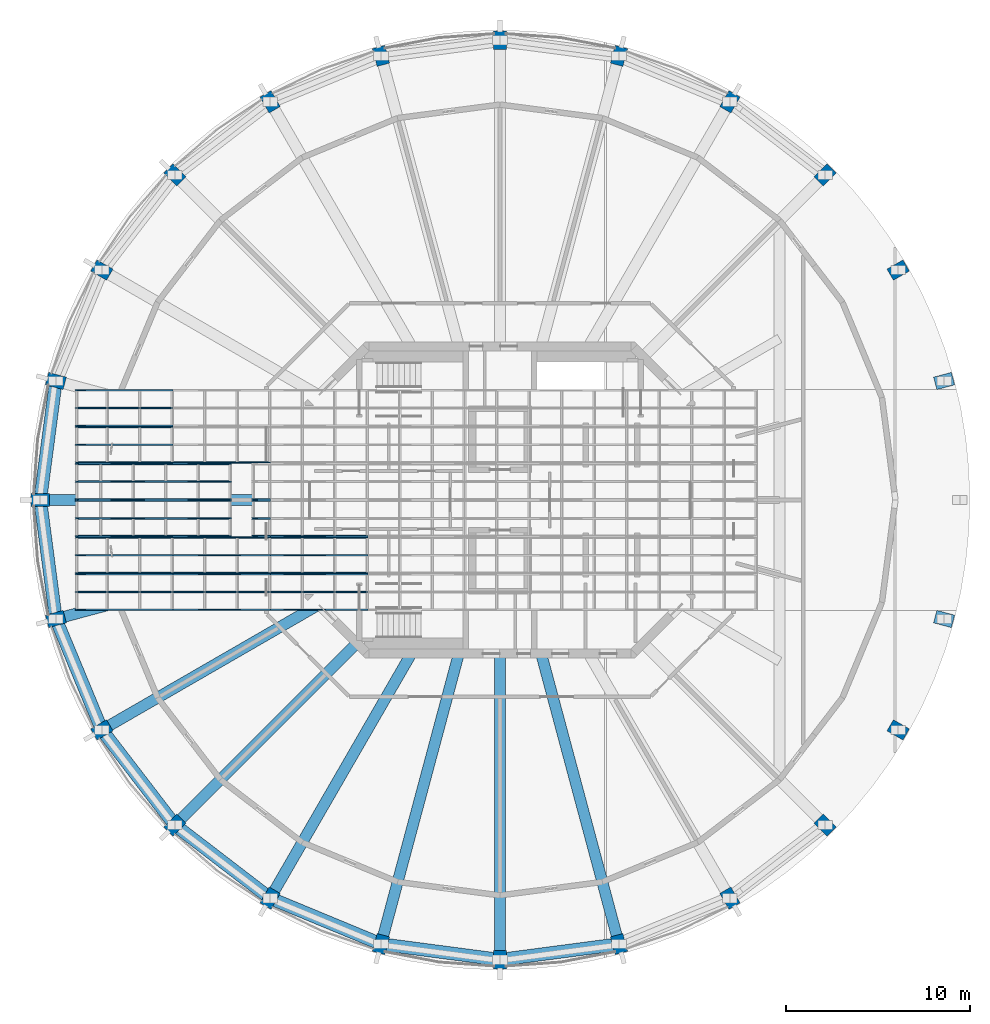
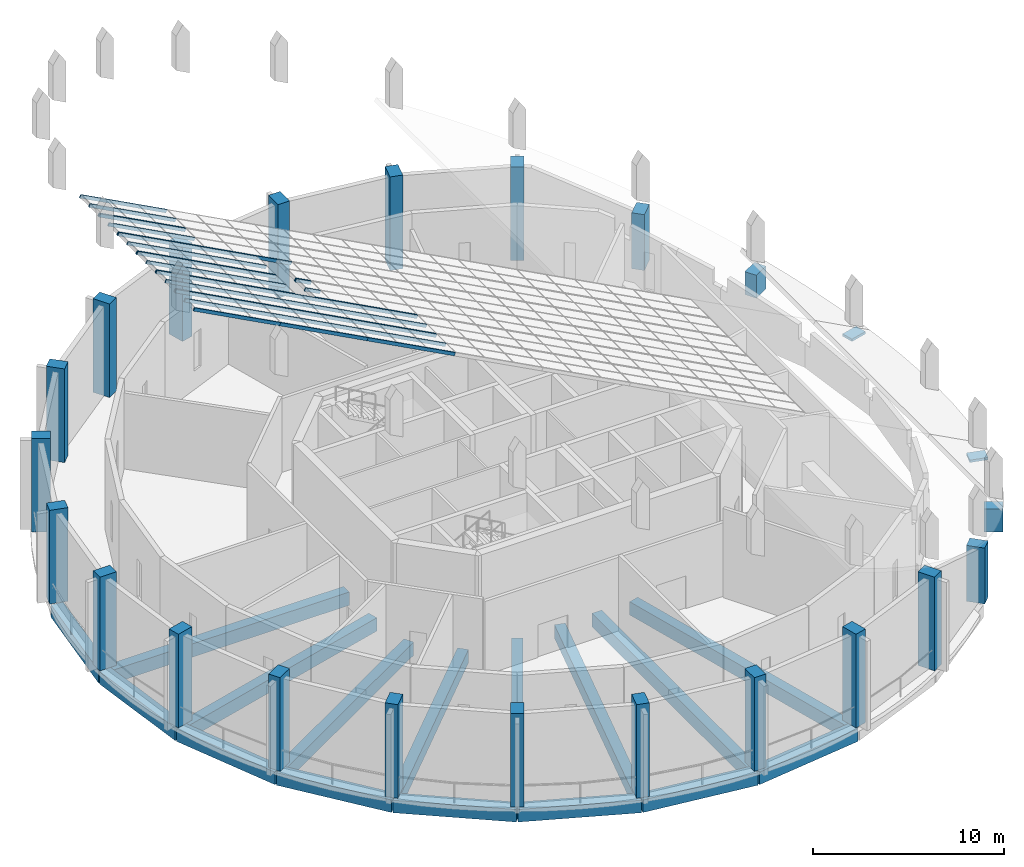
# One storey, part 1 of 19: 42 members, 23 columns, 16 beams, 8 elements without a shape of their own.
"""IFC4 building model written with IfcOpenShell, lengths in metres."""

from ifc_helpers import new_model, si_unit, direction, frame, origin, origin_2d, place, context, subcontext, project, spatial, rectangle, extrude, material, material_profile, profile_set, type_object, element, aggregate, save


model = new_model("IFC4")

# Units and contexts
model_context = context("Model", 3, precision=1e-05, world=origin(), true_north=direction((0.0, 1.0)))
body_context = subcontext(model_context, "Body", "Model", "MODEL_VIEW")
ifc_project = project(units=[si_unit("LENGTHUNIT", "METRE"), si_unit("AREAUNIT", "SQUARE_METRE"), si_unit("VOLUMEUNIT", "CUBIC_METRE"), si_unit("PLANEANGLEUNIT", "RADIAN"), si_unit("MASSUNIT", "GRAM", prefix="KILO")], contexts=[model_context])

# Site, building, storey
site_placement = place(None, origin())
site = spatial("IfcSite", under=ifc_project, at=site_placement, CompositionType="ELEMENT")
building_placement = place(site_placement, origin())
building = spatial("IfcBuilding", under=site, at=building_placement, Name="Torre Triforio", CompositionType="ELEMENT")
storey_placement = place(building_placement, frame((0.0, 0.0, 290.800048828125)))
storey = spatial("IfcBuildingStorey", under=building, at=storey_placement, Name="RF-1", CompositionType="ELEMENT", Elevation=290.800048828125)

# Columns
ifc_material_1 = material(Name="Concrete C40", Category="concrete")
ifc_material_profile_1 = material_profile(ifc_material_1, rectangle(XDim=0.699951171875, YDim=1.0, at=origin_2d()), Name="RC 700x1000")
ifc_profile_set_1 = profile_set([ifc_material_profile_1], Name="Concrete C40")
column_type = type_object("IfcColumnType", Name="Pier RC 700x1000 C40", PredefinedType="COLUMN", material=ifc_profile_set_1)
column_1_placement = place(storey_placement, frame((24.148193359375, 6.470458984375, 0.0), z_axis=(0.0, 0.0, 1.0), x_axis=(-0.258819045103, 0.965925826289, 0.0)))
element("IfcColumn", 1, at=column_1_placement, inside=storey, type_object=column_type, Name="COL.R.RF-1.01", PredefinedType="COLUMN", context=body_context, shape_type="SweptSolid", body=[
    extrude(rectangle(XDim=0.699951171875, YDim=1.0, at=origin_2d()), origin(), (0.0, 0.0, 1.0), 0.1552734375),
])
column_2_placement = place(storey_placement, frame((21.650634765625, 12.5, 0.0), z_axis=(0.0, 0.0, 1.0), x_axis=(-0.5, 0.866025403784, 0.0)))
element("IfcColumn", 2, at=column_2_placement, inside=storey, type_object=column_type, Name="COL.R.RF-1.02", PredefinedType="COLUMN", context=body_context, shape_type="SweptSolid", body=[
    extrude(rectangle(XDim=0.699951171875, YDim=1.0, at=origin_2d()), origin(), (0.0, 0.0, 1.0), 1.46484375),
])
column_3_placement = place(storey_placement, frame((17.677734375, 17.677734375, 0.0), z_axis=(0.0, 0.0, 1.0), x_axis=(-0.707106781187, 0.707106781187, 0.0)))
element("IfcColumn", 3, at=column_3_placement, inside=storey, type_object=column_type, Name="COL.R.RF-1.03", PredefinedType="COLUMN", context=body_context, shape_type="SweptSolid", body=[
    extrude(rectangle(XDim=0.699951171875, YDim=1.0, at=origin_2d()), origin(), (0.0, 0.0, 1.0), 3.5810546875),
])
for number, where, z_axis, x_axis, name in (
    (4, (12.5, 21.650634765625, 0.0), (0.0, 0.0, 1.0), (-0.866025403784, 0.5, 0.0), "COL.R.RF-1.04"),
    (5, (6.470458984375, 24.148193359375, 0.0), (0.0, 0.0, 1.0), (-0.965925826289, 0.258819045103, 0.0), "COL.R.RF-1.05"),
    (6, (0.0, 25.0, 0.0), (0.0, 0.0, 1.0), (-1.0, 0.0, 0.0), "COL.R.RF-1.06"),
    (7, (-6.470458984375, 24.148193359375, 0.0), (0.0, 0.0, 1.0), (-0.965925826289, -0.258819045103, 0.0), "COL.R.RF-1.07"),
    (8, (-12.5, 21.650634765625, 0.0), (0.0, 0.0, 1.0), (-0.866025403784, -0.5, 0.0), "COL.R.RF-1.08"),
    (9, (-17.677734375, 17.677734375, 0.0), (0.0, 0.0, 1.0), (-0.707106781187, -0.707106781187, 0.0), "COL.R.RF-1.09"),
    (10, (-21.650634765625, 12.5, 0.0), (0.0, 0.0, 1.0), (-0.5, -0.866025403784, 0.0), "COL.R.RF-1.10"),
    (11, (-24.148193359375, 6.470458984375, 0.0), (0.0, 0.0, 1.0), (-0.258819045103, -0.965925826289, 0.0), "COL.R.RF-1.11"),
    (12, (-25.0, 0.0, 0.0), (0.0, 0.0, 1.0), (0.0, -1.0, 0.0), "COL.R.RF-1.12"),
    (13, (-24.148193359375, -6.470458984375, 0.0), (0.0, 0.0, 1.0), (0.258819045103, -0.965925826289, 0.0), "COL.R.RF-1.13"),
    (14, (-21.650634765625, -12.5, 0.0), (0.0, 0.0, 1.0), (0.5, -0.866025403784, 0.0), "COL.R.RF-1.14"),
    (15, (-17.677734375, -17.677734375, 0.0), (0.0, 0.0, 1.0), (0.707106781187, -0.707106781187, 0.0), "COL.R.RF-1.15"),
    (16, (-12.5, -21.650634765625, 0.0), (0.0, 0.0, 1.0), (0.866025403784, -0.5, 0.0), "COL.R.RF-1.16"),
    (17, (-6.470458984375, -24.148193359375, 0.0), (0.0, 0.0, 1.0), (0.965925826289, -0.258819045103, 0.0), "COL.R.RF-1.17"),
    (18, (0.0, -25.0, 0.0), (0.0, 0.0, 1.0), (1.0, 0.0, 0.0), "COL.R.RF-1.18"),
    (19, (6.470458984375, -24.148193359375, 0.0), (0.0, 0.0, 1.0), (0.965925826289, 0.258819045103, 0.0), "COL.R.RF-1.19"),
    (20, (12.5, -21.650634765625, 0.0), (0.0, 0.0, 1.0), (0.866025403784, 0.5, 0.0), "COL.R.RF-1.20"),
):
    element("IfcColumn", number, at=place(storey_placement, frame(where, z_axis=z_axis, x_axis=x_axis)), inside=storey, type_object=column_type, Name=name, PredefinedType="COLUMN", context=body_context, shape_type="SweptSolid", body=[
        extrude(rectangle(XDim=0.699951171875, YDim=1.0, at=origin_2d()), origin(), (0.0, 0.0, 1.0), 6.0),
    ])
column_4_placement = place(storey_placement, frame((17.677734375, -17.677734375, 0.0), z_axis=(0.0, 0.0, 1.0), x_axis=(0.707106781187, 0.707106781187, 0.0)))
element("IfcColumn", 21, at=column_4_placement, inside=storey, type_object=column_type, Name="COL.R.RF-1.21", PredefinedType="COLUMN", context=body_context, shape_type="SweptSolid", body=[
    extrude(rectangle(XDim=0.699951171875, YDim=1.0, at=origin_2d()), origin(), (0.0, 0.0, 1.0), 3.5810546875),
])
column_5_placement = place(storey_placement, frame((21.650634765625, -12.5, 0.0), z_axis=(0.0, 0.0, 1.0), x_axis=(0.5, 0.866025403784, 0.0)))
element("IfcColumn", 22, at=column_5_placement, inside=storey, type_object=column_type, Name="COL.R.RF-1.22", PredefinedType="COLUMN", context=body_context, shape_type="SweptSolid", body=[
    extrude(rectangle(XDim=0.699951171875, YDim=1.0, at=origin_2d()), origin(), (0.0, 0.0, 1.0), 1.46484375),
])
column_6_placement = place(storey_placement, frame((24.148193359375, -6.470458984375, 0.0), z_axis=(0.0, 0.0, 1.0), x_axis=(0.258819045103, 0.965925826289, 0.0)))
element("IfcColumn", 23, at=column_6_placement, inside=storey, type_object=column_type, Name="COL.R.RF-1.23", PredefinedType="COLUMN", context=body_context, shape_type="SweptSolid", body=[
    extrude(rectangle(XDim=0.699951171875, YDim=1.0, at=origin_2d()), origin(), (0.0, 0.0, 1.0), 0.1552734375),
])

# Curtain wall, members
ifc_material_2 = material(Name="Aluminium glazing bars with clear laminated glass", Category="aluminium")
curtain_wall_type = type_object("IfcCurtainWallType", Name="Crown lantern glazing CW4", PredefinedType="NOTDEFINED", material=ifc_material_2)
curtain_wall_1_placement = place(storey_placement, origin())
curtain_wall_1 = element("IfcCurtainWall", 24, at=curtain_wall_1_placement, inside=storey, type_object=curtain_wall_type, Name="Crown lantern run 1", PredefinedType="NOTDEFINED")
ifc_material_3 = material(Name="Anodised aluminium extrusion", Category="aluminium")
ifc_material_profile_2 = material_profile(ifc_material_3, rectangle(XDim=0.070068359375, YDim=0.199951171875, at=origin_2d()), Name="CW4 MULLION 70x200")
ifc_profile_set_2 = profile_set([ifc_material_profile_2], Name="Anodised aluminium extrusion")
member_type = type_object("IfcMemberType", Name="CW4 glazing bar 70 x 200", PredefinedType="MULLION", material=ifc_profile_set_2)
member_1_placement = place(storey_placement, frame((-7.23779296875, -5.965087890625, 17.3203125), z_axis=(-0.882957088221, 0.0, 0.469453704171), x_axis=(0.0, -1.0, 0.0)))
member_1 = element("IfcMember", 25, at=member_1_placement, type_object=member_type, Name="CW4 glazing bar 1.1.5", PredefinedType="MULLION", context=body_context, shape_type="SweptSolid", body=[
    extrude(rectangle(XDim=0.070068359375, YDim=0.199951171875, at=origin_2d()), origin(), (0.0, 0.0, 1.0), 5.999755859375),
])
member_2_placement = place(storey_placement, frame((-12.535400390625, -5.965087890625, 20.136962890625), z_axis=(-0.882940221191, 0.0, 0.469485426614), x_axis=(0.0, -1.0, 0.0)))
member_2 = element("IfcMember", 26, at=member_2_placement, type_object=member_type, Name="CW4 glazing bar 1.1.6", PredefinedType="MULLION", context=body_context, shape_type="SweptSolid", body=[
    extrude(rectangle(XDim=0.070068359375, YDim=0.199951171875, at=origin_2d()), origin(), (0.0, 0.0, 1.0), 6.0),
])
member_3_placement = place(storey_placement, frame((-17.8330078125, -5.965087890625, 22.953857421875), z_axis=(-0.882950791181, 0.0, 0.469465547568), x_axis=(0.0, -1.0, 0.0)))
member_3 = element("IfcMember", 27, at=member_3_placement, type_object=member_type, Name="CW4 glazing bar 1.1.7", PredefinedType="MULLION", context=body_context, shape_type="SweptSolid", body=[
    extrude(rectangle(XDim=0.070068359375, YDim=0.199951171875, at=origin_2d()), origin(), (0.0, 0.0, 1.0), 5.905029296875),
])
member_4_placement = place(storey_placement, frame((-7.23779296875, -5.0, 17.3203125), z_axis=(-0.882957088221, 0.0, 0.469453704171), x_axis=(0.0, -1.0, 0.0)))
member_4 = element("IfcMember", 28, at=member_4_placement, type_object=member_type, Name="CW4 glazing bar 1.2.5", PredefinedType="MULLION", context=body_context, shape_type="SweptSolid", body=[
    extrude(rectangle(XDim=0.070068359375, YDim=0.199951171875, at=origin_2d()), origin(), (0.0, 0.0, 1.0), 5.999755859375),
])
member_5_placement = place(storey_placement, frame((-12.535400390625, -5.0, 20.136962890625), z_axis=(-0.882940221191, 0.0, 0.469485426614), x_axis=(0.0, -1.0, 0.0)))
member_5 = element("IfcMember", 29, at=member_5_placement, type_object=member_type, Name="CW4 glazing bar 1.2.6", PredefinedType="MULLION", context=body_context, shape_type="SweptSolid", body=[
    extrude(rectangle(XDim=0.070068359375, YDim=0.199951171875, at=origin_2d()), origin(), (0.0, 0.0, 1.0), 6.0),
])
member_6_placement = place(storey_placement, frame((-17.8330078125, -5.0, 22.953857421875), z_axis=(-0.882950791181, 0.0, 0.469465547568), x_axis=(0.0, -1.0, 0.0)))
member_6 = element("IfcMember", 30, at=member_6_placement, type_object=member_type, Name="CW4 glazing bar 1.2.7", PredefinedType="MULLION", context=body_context, shape_type="SweptSolid", body=[
    extrude(rectangle(XDim=0.070068359375, YDim=0.199951171875, at=origin_2d()), origin(), (0.0, 0.0, 1.0), 5.905029296875),
])
member_7_placement = place(storey_placement, frame((-7.23779296875, -4.034912109375, 17.3203125), z_axis=(-0.882957088221, 0.0, 0.469453704171), x_axis=(0.0, -1.0, 0.0)))
member_7 = element("IfcMember", 31, at=member_7_placement, type_object=member_type, Name="CW4 glazing bar 1.3.5", PredefinedType="MULLION", context=body_context, shape_type="SweptSolid", body=[
    extrude(rectangle(XDim=0.070068359375, YDim=0.199951171875, at=origin_2d()), origin(), (0.0, 0.0, 1.0), 5.999755859375),
])
member_8_placement = place(storey_placement, frame((-12.535400390625, -4.034912109375, 20.136962890625), z_axis=(-0.882940221191, 0.0, 0.469485426614), x_axis=(0.0, -1.0, 0.0)))
member_8 = element("IfcMember", 32, at=member_8_placement, type_object=member_type, Name="CW4 glazing bar 1.3.6", PredefinedType="MULLION", context=body_context, shape_type="SweptSolid", body=[
    extrude(rectangle(XDim=0.070068359375, YDim=0.199951171875, at=origin_2d()), origin(), (0.0, 0.0, 1.0), 6.0),
])
member_9_placement = place(storey_placement, frame((-17.8330078125, -4.034912109375, 22.953857421875), z_axis=(-0.882950791181, 0.0, 0.469465547568), x_axis=(0.0, -1.0, 0.0)))
member_9 = element("IfcMember", 33, at=member_9_placement, type_object=member_type, Name="CW4 glazing bar 1.3.7", PredefinedType="MULLION", context=body_context, shape_type="SweptSolid", body=[
    extrude(rectangle(XDim=0.070068359375, YDim=0.199951171875, at=origin_2d()), origin(), (0.0, 0.0, 1.0), 5.905029296875),
])
aggregate(curtain_wall_1, [member_1, member_2, member_3, member_4, member_5, member_6, member_7, member_8, member_9])

curtain_wall_2_placement = place(storey_placement, origin())
curtain_wall_2 = element("IfcCurtainWall", 34, at=curtain_wall_2_placement, inside=storey, type_object=curtain_wall_type, Name="Crown lantern run 2", PredefinedType="NOTDEFINED")
member_10_placement = place(storey_placement, frame((-7.23779296875, -3.965087890625, 17.3203125), z_axis=(-0.882957088221, 0.0, 0.469453704171), x_axis=(0.0, -1.0, 0.0)))
member_10 = element("IfcMember", 35, at=member_10_placement, type_object=member_type, Name="CW4 glazing bar 2.1.5", PredefinedType="MULLION", context=body_context, shape_type="SweptSolid", body=[
    extrude(rectangle(XDim=0.070068359375, YDim=0.199951171875, at=origin_2d()), origin(), (0.0, 0.0, 1.0), 5.999755859375),
])
member_11_placement = place(storey_placement, frame((-12.535400390625, -3.965087890625, 20.136962890625), z_axis=(-0.882940221191, 0.0, 0.469485426614), x_axis=(0.0, -1.0, 0.0)))
member_11 = element("IfcMember", 36, at=member_11_placement, type_object=member_type, Name="CW4 glazing bar 2.1.6", PredefinedType="MULLION", context=body_context, shape_type="SweptSolid", body=[
    extrude(rectangle(XDim=0.070068359375, YDim=0.199951171875, at=origin_2d()), origin(), (0.0, 0.0, 1.0), 6.0),
])
member_12_placement = place(storey_placement, frame((-17.8330078125, -3.965087890625, 22.953857421875), z_axis=(-0.882950791181, 0.0, 0.469465547568), x_axis=(0.0, -1.0, 0.0)))
member_12 = element("IfcMember", 37, at=member_12_placement, type_object=member_type, Name="CW4 glazing bar 2.1.7", PredefinedType="MULLION", context=body_context, shape_type="SweptSolid", body=[
    extrude(rectangle(XDim=0.070068359375, YDim=0.199951171875, at=origin_2d()), origin(), (0.0, 0.0, 1.0), 5.905029296875),
])
member_13_placement = place(storey_placement, frame((-7.23779296875, -3.0, 17.3203125), z_axis=(-0.882957088221, 0.0, 0.469453704171), x_axis=(0.0, -1.0, 0.0)))
member_13 = element("IfcMember", 38, at=member_13_placement, type_object=member_type, Name="CW4 glazing bar 2.2.5", PredefinedType="MULLION", context=body_context, shape_type="SweptSolid", body=[
    extrude(rectangle(XDim=0.070068359375, YDim=0.199951171875, at=origin_2d()), origin(), (0.0, 0.0, 1.0), 5.999755859375),
])
member_14_placement = place(storey_placement, frame((-12.535400390625, -3.0, 20.136962890625), z_axis=(-0.882940221191, 0.0, 0.469485426614), x_axis=(0.0, -1.0, 0.0)))
member_14 = element("IfcMember", 39, at=member_14_placement, type_object=member_type, Name="CW4 glazing bar 2.2.6", PredefinedType="MULLION", context=body_context, shape_type="SweptSolid", body=[
    extrude(rectangle(XDim=0.070068359375, YDim=0.199951171875, at=origin_2d()), origin(), (0.0, 0.0, 1.0), 6.0),
])
member_15_placement = place(storey_placement, frame((-17.8330078125, -3.0, 22.953857421875), z_axis=(-0.882950791181, 0.0, 0.469465547568), x_axis=(0.0, -1.0, 0.0)))
member_15 = element("IfcMember", 40, at=member_15_placement, type_object=member_type, Name="CW4 glazing bar 2.2.7", PredefinedType="MULLION", context=body_context, shape_type="SweptSolid", body=[
    extrude(rectangle(XDim=0.070068359375, YDim=0.199951171875, at=origin_2d()), origin(), (0.0, 0.0, 1.0), 5.905029296875),
])
member_16_placement = place(storey_placement, frame((-7.23779296875, -2.034912109375, 17.3203125), z_axis=(-0.882957088221, 0.0, 0.469453704171), x_axis=(0.0, -1.0, 0.0)))
member_16 = element("IfcMember", 41, at=member_16_placement, type_object=member_type, Name="CW4 glazing bar 2.3.5", PredefinedType="MULLION", context=body_context, shape_type="SweptSolid", body=[
    extrude(rectangle(XDim=0.070068359375, YDim=0.199951171875, at=origin_2d()), origin(), (0.0, 0.0, 1.0), 5.999755859375),
])
member_17_placement = place(storey_placement, frame((-12.535400390625, -2.034912109375, 20.136962890625), z_axis=(-0.882940221191, 0.0, 0.469485426614), x_axis=(0.0, -1.0, 0.0)))
member_17 = element("IfcMember", 42, at=member_17_placement, type_object=member_type, Name="CW4 glazing bar 2.3.6", PredefinedType="MULLION", context=body_context, shape_type="SweptSolid", body=[
    extrude(rectangle(XDim=0.070068359375, YDim=0.199951171875, at=origin_2d()), origin(), (0.0, 0.0, 1.0), 6.0),
])
member_18_placement = place(storey_placement, frame((-17.8330078125, -2.034912109375, 22.953857421875), z_axis=(-0.882950791181, 0.0, 0.469465547568), x_axis=(0.0, -1.0, 0.0)))
member_18 = element("IfcMember", 43, at=member_18_placement, type_object=member_type, Name="CW4 glazing bar 2.3.7", PredefinedType="MULLION", context=body_context, shape_type="SweptSolid", body=[
    extrude(rectangle(XDim=0.070068359375, YDim=0.199951171875, at=origin_2d()), origin(), (0.0, 0.0, 1.0), 5.905029296875),
])
aggregate(curtain_wall_2, [member_10, member_11, member_12, member_13, member_14, member_15, member_16, member_17, member_18])

curtain_wall_3_placement = place(storey_placement, origin())
curtain_wall_3 = element("IfcCurtainWall", 44, at=curtain_wall_3_placement, inside=storey, type_object=curtain_wall_type, Name="Crown lantern run 3", PredefinedType="NOTDEFINED")
member_19_placement = place(storey_placement, frame((-7.23779296875, -1.965087890625, 17.3203125), z_axis=(-0.882957088221, 0.0, 0.469453704171), x_axis=(0.0, -1.0, 0.0)))
member_19 = element("IfcMember", 45, at=member_19_placement, type_object=member_type, Name="CW4 glazing bar 3.1.5", PredefinedType="MULLION", context=body_context, shape_type="SweptSolid", body=[
    extrude(rectangle(XDim=0.070068359375, YDim=0.199951171875, at=origin_2d()), origin(), (0.0, 0.0, 1.0), 5.999755859375),
])
member_20_placement = place(storey_placement, frame((-12.535400390625, -1.965087890625, 20.136962890625), z_axis=(-0.882889075016, 0.0, 0.469581602298), x_axis=(0.0, -1.0, 0.0)))
member_20 = element("IfcMember", 46, at=member_20_placement, type_object=member_type, Name="CW4 glazing bar 3.1.6", PredefinedType="MULLION", context=body_context, shape_type="SweptSolid", body=[
    extrude(rectangle(XDim=0.070068359375, YDim=0.199951171875, at=origin_2d()), origin(), (0.0, 0.0, 1.0), 1.032470703125),
])
member_21_placement = place(storey_placement, frame((-12.535400390625, -1.0, 20.136962890625), z_axis=(-0.882889075016, 0.0, 0.469581602298), x_axis=(0.0, -1.0, 0.0)))
member_21 = element("IfcMember", 47, at=member_21_placement, type_object=member_type, Name="CW4 glazing bar 3.2.6", PredefinedType="MULLION", context=body_context, shape_type="SweptSolid", body=[
    extrude(rectangle(XDim=0.070068359375, YDim=0.199951171875, at=origin_2d()), origin(), (0.0, 0.0, 1.0), 1.032470703125),
])
member_22_placement = place(storey_placement, frame((-12.535400390625, -0.034912109375, 20.136962890625), z_axis=(-0.882889075016, 0.0, 0.469581602298), x_axis=(0.0, -1.0, 0.0)))
member_22 = element("IfcMember", 48, at=member_22_placement, type_object=member_type, Name="CW4 glazing bar 3.3.6", PredefinedType="MULLION", context=body_context, shape_type="SweptSolid", body=[
    extrude(rectangle(XDim=0.070068359375, YDim=0.199951171875, at=origin_2d()), origin(), (0.0, 0.0, 1.0), 1.032470703125),
])
aggregate(curtain_wall_3, [member_19, member_20, member_21, member_22])

curtain_wall_4_placement = place(storey_placement, origin())
curtain_wall_4 = element("IfcCurtainWall", 49, at=curtain_wall_4_placement, inside=storey, type_object=curtain_wall_type, Name="Crown lantern run 4", PredefinedType="NOTDEFINED")
member_23_placement = place(storey_placement, frame((-14.64697265625, -1.965087890625, 21.259765625), z_axis=(-0.882940221191, 0.0, 0.469485426614), x_axis=(0.0, -1.0, 0.0)))
member_23 = element("IfcMember", 50, at=member_23_placement, type_object=member_type, Name="CW4 glazing bar 4.1", PredefinedType="MULLION", context=body_context, shape_type="SweptSolid", body=[
    extrude(rectangle(XDim=0.070068359375, YDim=0.199951171875, at=origin_2d()), origin(), (0.0, 0.0, 1.0), 6.0),
])
member_24_placement = place(storey_placement, frame((-19.944580078125, -1.965087890625, 24.07666015625), z_axis=(-0.882960028319, 0.0, 0.469448174339), x_axis=(0.0, -1.0, 0.0)))
member_24 = element("IfcMember", 51, at=member_24_placement, type_object=member_type, Name="CW4 glazing bar 4.1.2", PredefinedType="MULLION", context=body_context, shape_type="SweptSolid", body=[
    extrude(rectangle(XDim=0.070068359375, YDim=0.199951171875, at=origin_2d()), origin(), (0.0, 0.0, 1.0), 3.513427734375),
])
member_25_placement = place(storey_placement, frame((-14.64697265625, -1.0, 21.259765625), z_axis=(-0.882940221191, 0.0, 0.469485426614), x_axis=(0.0, -1.0, 0.0)))
member_25 = element("IfcMember", 52, at=member_25_placement, type_object=member_type, Name="CW4 glazing bar 4.2", PredefinedType="MULLION", context=body_context, shape_type="SweptSolid", body=[
    extrude(rectangle(XDim=0.070068359375, YDim=0.199951171875, at=origin_2d()), origin(), (0.0, 0.0, 1.0), 6.0),
])
member_26_placement = place(storey_placement, frame((-19.944580078125, -1.0, 24.07666015625), z_axis=(-0.882960028319, 0.0, 0.469448174339), x_axis=(0.0, -1.0, 0.0)))
member_26 = element("IfcMember", 53, at=member_26_placement, type_object=member_type, Name="CW4 glazing bar 4.2.2", PredefinedType="MULLION", context=body_context, shape_type="SweptSolid", body=[
    extrude(rectangle(XDim=0.070068359375, YDim=0.199951171875, at=origin_2d()), origin(), (0.0, 0.0, 1.0), 3.513427734375),
])
member_27_placement = place(storey_placement, frame((-14.64697265625, -0.034912109375, 21.259765625), z_axis=(-0.882940221191, 0.0, 0.469485426614), x_axis=(0.0, -1.0, 0.0)))
member_27 = element("IfcMember", 54, at=member_27_placement, type_object=member_type, Name="CW4 glazing bar 4.3", PredefinedType="MULLION", context=body_context, shape_type="SweptSolid", body=[
    extrude(rectangle(XDim=0.070068359375, YDim=0.199951171875, at=origin_2d()), origin(), (0.0, 0.0, 1.0), 6.0),
])
member_28_placement = place(storey_placement, frame((-19.944580078125, -0.034912109375, 24.07666015625), z_axis=(-0.882960028319, 0.0, 0.469448174339), x_axis=(0.0, -1.0, 0.0)))
member_28 = element("IfcMember", 55, at=member_28_placement, type_object=member_type, Name="CW4 glazing bar 4.3.2", PredefinedType="MULLION", context=body_context, shape_type="SweptSolid", body=[
    extrude(rectangle(XDim=0.070068359375, YDim=0.199951171875, at=origin_2d()), origin(), (0.0, 0.0, 1.0), 3.513427734375),
])
aggregate(curtain_wall_4, [member_23, member_24, member_25, member_26, member_27, member_28])

# Curtain wall, member
curtain_wall_5_placement = place(storey_placement, origin())
curtain_wall_5 = element("IfcCurtainWall", 56, at=curtain_wall_5_placement, inside=storey, type_object=curtain_wall_type, Name="Crown lantern run 5", PredefinedType="NOTDEFINED")
member_29_placement = place(storey_placement, frame((-12.535400390625, 0.034912109375, 20.136962890625), z_axis=(-0.882889075016, 0.0, 0.469581602298), x_axis=(0.0, -1.0, 0.0)))
member_29 = element("IfcMember", 57, at=member_29_placement, type_object=member_type, Name="CW4 glazing bar 5.1.6", PredefinedType="MULLION", context=body_context, shape_type="SweptSolid", body=[
    extrude(rectangle(XDim=0.070068359375, YDim=0.199951171875, at=origin_2d()), origin(), (0.0, 0.0, 1.0), 1.032470703125),
])
aggregate(curtain_wall_5, [member_29])

# Curtain wall, members
curtain_wall_6_placement = place(storey_placement, origin())
curtain_wall_6 = element("IfcCurtainWall", 58, at=curtain_wall_6_placement, inside=storey, type_object=curtain_wall_type, Name="Crown lantern run 6", PredefinedType="NOTDEFINED")
member_30_placement = place(storey_placement, frame((-14.64697265625, 0.034912109375, 21.259765625), z_axis=(-0.882940221191, 0.0, 0.469485426614), x_axis=(0.0, -1.0, 0.0)))
member_30 = element("IfcMember", 59, at=member_30_placement, type_object=member_type, Name="CW4 glazing bar 6.1", PredefinedType="MULLION", context=body_context, shape_type="SweptSolid", body=[
    extrude(rectangle(XDim=0.070068359375, YDim=0.199951171875, at=origin_2d()), origin(), (0.0, 0.0, 1.0), 6.0),
])
member_31_placement = place(storey_placement, frame((-19.944580078125, 0.034912109375, 24.07666015625), z_axis=(-0.882960028319, 0.0, 0.469448174339), x_axis=(0.0, -1.0, 0.0)))
member_31 = element("IfcMember", 60, at=member_31_placement, type_object=member_type, Name="CW4 glazing bar 6.1.2", PredefinedType="MULLION", context=body_context, shape_type="SweptSolid", body=[
    extrude(rectangle(XDim=0.070068359375, YDim=0.199951171875, at=origin_2d()), origin(), (0.0, 0.0, 1.0), 3.513427734375),
])
member_32_placement = place(storey_placement, frame((-14.64697265625, 1.0, 21.259765625), z_axis=(-0.882940221191, 0.0, 0.469485426614), x_axis=(0.0, -1.0, 0.0)))
member_32 = element("IfcMember", 61, at=member_32_placement, type_object=member_type, Name="CW4 glazing bar 6.2", PredefinedType="MULLION", context=body_context, shape_type="SweptSolid", body=[
    extrude(rectangle(XDim=0.070068359375, YDim=0.199951171875, at=origin_2d()), origin(), (0.0, 0.0, 1.0), 6.0),
])
member_33_placement = place(storey_placement, frame((-19.944580078125, 1.0, 24.07666015625), z_axis=(-0.882960028319, 0.0, 0.469448174339), x_axis=(0.0, -1.0, 0.0)))
member_33 = element("IfcMember", 62, at=member_33_placement, type_object=member_type, Name="CW4 glazing bar 6.2.2", PredefinedType="MULLION", context=body_context, shape_type="SweptSolid", body=[
    extrude(rectangle(XDim=0.070068359375, YDim=0.199951171875, at=origin_2d()), origin(), (0.0, 0.0, 1.0), 3.513427734375),
])
member_34_placement = place(storey_placement, frame((-14.64697265625, 1.965087890625, 21.259765625), z_axis=(-0.882940221191, 0.0, 0.469485426614), x_axis=(0.0, -1.0, 0.0)))
member_34 = element("IfcMember", 63, at=member_34_placement, type_object=member_type, Name="CW4 glazing bar 6.3", PredefinedType="MULLION", context=body_context, shape_type="SweptSolid", body=[
    extrude(rectangle(XDim=0.070068359375, YDim=0.199951171875, at=origin_2d()), origin(), (0.0, 0.0, 1.0), 6.0),
])
member_35_placement = place(storey_placement, frame((-19.944580078125, 1.965087890625, 24.07666015625), z_axis=(-0.882960028319, 0.0, 0.469448174339), x_axis=(0.0, -1.0, 0.0)))
member_35 = element("IfcMember", 64, at=member_35_placement, type_object=member_type, Name="CW4 glazing bar 6.3.2", PredefinedType="MULLION", context=body_context, shape_type="SweptSolid", body=[
    extrude(rectangle(XDim=0.070068359375, YDim=0.199951171875, at=origin_2d()), origin(), (0.0, 0.0, 1.0), 3.513427734375),
])
aggregate(curtain_wall_6, [member_30, member_31, member_32, member_33, member_34, member_35])

curtain_wall_7_placement = place(storey_placement, origin())
curtain_wall_7 = element("IfcCurtainWall", 65, at=curtain_wall_7_placement, inside=storey, type_object=curtain_wall_type, Name="Crown lantern run 7", PredefinedType="NOTDEFINED")
member_36_placement = place(storey_placement, frame((-12.535400390625, 2.034912109375, 20.136962890625), z_axis=(-0.882940221191, 0.0, 0.469485426614), x_axis=(0.0, -1.0, 0.0)))
member_36 = element("IfcMember", 66, at=member_36_placement, type_object=member_type, Name="CW4 glazing bar 7.1.6", PredefinedType="MULLION", context=body_context, shape_type="SweptSolid", body=[
    extrude(rectangle(XDim=0.070068359375, YDim=0.199951171875, at=origin_2d()), origin(), (0.0, 0.0, 1.0), 6.0),
])
member_37_placement = place(storey_placement, frame((-17.8330078125, 2.034912109375, 22.953857421875), z_axis=(-0.882950791181, 0.0, 0.469465547568), x_axis=(0.0, -1.0, 0.0)))
member_37 = element("IfcMember", 67, at=member_37_placement, type_object=member_type, Name="CW4 glazing bar 7.1.7", PredefinedType="MULLION", context=body_context, shape_type="SweptSolid", body=[
    extrude(rectangle(XDim=0.070068359375, YDim=0.199951171875, at=origin_2d()), origin(), (0.0, 0.0, 1.0), 5.905029296875),
])
member_38_placement = place(storey_placement, frame((-17.8330078125, 3.0, 22.953857421875), z_axis=(-0.882950791181, 0.0, 0.469465547568), x_axis=(0.0, -1.0, 0.0)))
member_38 = element("IfcMember", 68, at=member_38_placement, type_object=member_type, Name="CW4 glazing bar 7.2.7", PredefinedType="MULLION", context=body_context, shape_type="SweptSolid", body=[
    extrude(rectangle(XDim=0.070068359375, YDim=0.199951171875, at=origin_2d()), origin(), (0.0, 0.0, 1.0), 5.905029296875),
])
member_39_placement = place(storey_placement, frame((-17.8330078125, 3.965087890625, 22.953857421875), z_axis=(-0.882950791181, 0.0, 0.469465547568), x_axis=(0.0, -1.0, 0.0)))
member_39 = element("IfcMember", 69, at=member_39_placement, type_object=member_type, Name="CW4 glazing bar 7.3.7", PredefinedType="MULLION", context=body_context, shape_type="SweptSolid", body=[
    extrude(rectangle(XDim=0.070068359375, YDim=0.199951171875, at=origin_2d()), origin(), (0.0, 0.0, 1.0), 5.905029296875),
])
aggregate(curtain_wall_7, [member_36, member_37, member_38, member_39])

curtain_wall_8_placement = place(storey_placement, origin())
curtain_wall_8 = element("IfcCurtainWall", 70, at=curtain_wall_8_placement, inside=storey, type_object=curtain_wall_type, Name="Crown lantern run 8", PredefinedType="NOTDEFINED")
member_40_placement = place(storey_placement, frame((-17.8330078125, 4.034912109375, 22.953857421875), z_axis=(-0.882950791181, 0.0, 0.469465547568), x_axis=(0.0, -1.0, 0.0)))
member_40 = element("IfcMember", 71, at=member_40_placement, type_object=member_type, Name="CW4 glazing bar 8.1.7", PredefinedType="MULLION", context=body_context, shape_type="SweptSolid", body=[
    extrude(rectangle(XDim=0.070068359375, YDim=0.199951171875, at=origin_2d()), origin(), (0.0, 0.0, 1.0), 5.905029296875),
])
member_41_placement = place(storey_placement, frame((-17.8330078125, 5.0, 22.953857421875), z_axis=(-0.882950791181, 0.0, 0.469465547568), x_axis=(0.0, -1.0, 0.0)))
member_41 = element("IfcMember", 72, at=member_41_placement, type_object=member_type, Name="CW4 glazing bar 8.2.7", PredefinedType="MULLION", context=body_context, shape_type="SweptSolid", body=[
    extrude(rectangle(XDim=0.070068359375, YDim=0.199951171875, at=origin_2d()), origin(), (0.0, 0.0, 1.0), 5.905029296875),
])
member_42_placement = place(storey_placement, frame((-17.8330078125, 5.965087890625, 22.953857421875), z_axis=(-0.882950791181, 0.0, 0.469465547568), x_axis=(0.0, -1.0, 0.0)))
member_42 = element("IfcMember", 73, at=member_42_placement, type_object=member_type, Name="CW4 glazing bar 8.3.7", PredefinedType="MULLION", context=body_context, shape_type="SweptSolid", body=[
    extrude(rectangle(XDim=0.070068359375, YDim=0.199951171875, at=origin_2d()), origin(), (0.0, 0.0, 1.0), 5.905029296875),
])
aggregate(curtain_wall_8, [member_40, member_41, member_42])

# Beams
ifc_material_profile_3 = material_profile(ifc_material_1, rectangle(XDim=0.60009765625, YDim=0.85009765625, at=origin_2d()), Name="RC 600x850")
ifc_profile_set_3 = profile_set([ifc_material_profile_3], Name="Concrete C40")
beam_type_1 = type_object("IfcBeamType", Name="Radial beam RC 600x850 C40", PredefinedType="BEAM", material=ifc_profile_set_3)
beam_1_placement = place(storey_placement, frame((-10.35009765625, 0.0, -0.705078125), z_axis=(-1.0, 0.0, 0.0), x_axis=(0.0, -1.0, 0.0)))
element("IfcBeam", 74, at=beam_1_placement, inside=storey, type_object=beam_type_1, Name="BM.R.RF-1.12", PredefinedType="BEAM", context=body_context, shape_type="SweptSolid", body=[
    extrude(rectangle(XDim=0.60009765625, YDim=0.85009765625, at=origin_2d()), origin(), (0.0, 0.0, 1.0), 14.64990234375),
])
beam_2_placement = place(storey_placement, frame((-10.35009765625, -2.773193359375, -0.705078125), z_axis=(-0.965924478271, -0.258824075923, 0.0), x_axis=(0.258824075923, -0.965924478271, 0.0)))
element("IfcBeam", 75, at=beam_2_placement, inside=storey, type_object=beam_type_1, Name="BM.R.RF-1.13", PredefinedType="BEAM", context=body_context, shape_type="SweptSolid", body=[
    extrude(rectangle(XDim=0.60009765625, YDim=0.85009765625, at=origin_2d()), origin(), (0.0, 0.0, 1.0), 14.284912109375),
])
beam_3_placement = place(storey_placement, frame((-9.860595703125, -5.693115234375, -0.705078125), z_axis=(-0.866028503669, -0.499994630804, 0.0), x_axis=(0.499994630804, -0.866028503669, 0.0)))
element("IfcBeam", 76, at=beam_3_placement, inside=storey, type_object=beam_type_1, Name="BM.R.RF-1.14", PredefinedType="BEAM", context=body_context, shape_type="SweptSolid", body=[
    extrude(rectangle(XDim=0.60009765625, YDim=0.85009765625, at=origin_2d()), origin(), (0.0, 0.0, 1.0), 13.614013671875),
])
beam_4_placement = place(storey_placement, frame((-7.77685546875, -7.77685546875, -0.705078125), z_axis=(-0.707106781187, -0.707106781187, 0.0), x_axis=(0.707106781187, -0.707106781187, 0.0)))
element("IfcBeam", 77, at=beam_4_placement, inside=storey, type_object=beam_type_1, Name="BM.R.RF-1.15", PredefinedType="BEAM", context=body_context, shape_type="SweptSolid", body=[
    extrude(rectangle(XDim=0.60009765625, YDim=0.85009765625, at=origin_2d()), origin(), (0.0, 0.0, 1.0), 14.001953125),
])
beam_5_placement = place(storey_placement, frame((-4.82080078125, -8.35009765625, -0.705078125), z_axis=(-0.500006374672, -0.866021723334, 0.0), x_axis=(0.866021723334, -0.500006374672, 0.0)))
element("IfcBeam", 78, at=beam_5_placement, inside=storey, type_object=beam_type_1, Name="BM.R.RF-1.16", PredefinedType="BEAM", context=body_context, shape_type="SweptSolid", body=[
    extrude(rectangle(XDim=0.60009765625, YDim=0.85009765625, at=origin_2d()), origin(), (0.0, 0.0, 1.0), 15.358154296875),
])
beam_6_placement = place(storey_placement, frame((-2.2373046875, -8.35009765625, -0.705078125), z_axis=(-0.258822884948, -0.965924797397, 0.0), x_axis=(0.965924797397, -0.258822884948, 0.0)))
element("IfcBeam", 79, at=beam_6_placement, inside=storey, type_object=beam_type_1, Name="BM.R.RF-1.17", PredefinedType="BEAM", context=body_context, shape_type="SweptSolid", body=[
    extrude(rectangle(XDim=0.60009765625, YDim=0.85009765625, at=origin_2d()), origin(), (0.0, 0.0, 1.0), 16.35546875),
])
beam_7_placement = place(storey_placement, frame((0.0, -8.35009765625, -0.705078125), z_axis=(0.0, -1.0, 0.0), x_axis=(1.0, 0.0, 0.0)))
element("IfcBeam", 80, at=beam_7_placement, inside=storey, type_object=beam_type_1, Name="BM.R.RF-1.18", PredefinedType="BEAM", context=body_context, shape_type="SweptSolid", body=[
    extrude(rectangle(XDim=0.60009765625, YDim=0.85009765625, at=origin_2d()), origin(), (0.0, 0.0, 1.0), 16.64990234375),
])
beam_8_placement = place(storey_placement, frame((2.2373046875, -8.35009765625, -0.705078125), z_axis=(0.258822884948, -0.965924797397, 0.0), x_axis=(0.965924797397, 0.258822884948, 0.0)))
element("IfcBeam", 81, at=beam_8_placement, inside=storey, type_object=beam_type_1, Name="BM.R.RF-1.19", PredefinedType="BEAM", context=body_context, shape_type="SweptSolid", body=[
    extrude(rectangle(XDim=0.60009765625, YDim=0.85009765625, at=origin_2d()), origin(), (0.0, 0.0, 1.0), 16.35546875),
])
ifc_material_profile_4 = material_profile(ifc_material_1, rectangle(XDim=0.699951171875, YDim=0.800048828125, at=origin_2d()), Name="RC 700x800")
ifc_profile_set_4 = profile_set([ifc_material_profile_4], Name="Concrete C40")
beam_type_2 = type_object("IfcBeamType", Name="Spandrel beam RC 700x800 C40", PredefinedType="SPANDREL", material=ifc_profile_set_4)
for number, where, z_axis, x_axis, name in (
    (82, (-24.148193359375, 6.470458984375, -0.679931640625), (-0.130519347444, -0.991445762482, 0.0), (0.991445762482, -0.130519347444, 0.0), "BM.S.RF-1.11"),
    (83, (-25.0, 0.0, -0.679931640625), (0.130519347444, -0.991445762482, 0.0), (0.991445762482, 0.130519347444, 0.0), "BM.S.RF-1.12"),
    (84, (-24.148193359375, -6.470458984375, -0.679931640625), (0.382688785449, -0.923877315173, 0.0), (0.923877315173, 0.382688785449, 0.0), "BM.S.RF-1.13"),
    (85, (-21.650634765625, -12.5, -0.679931640625), (0.608750344722, -0.793361845441, 0.0), (0.793361845441, 0.608750344722, 0.0), "BM.S.RF-1.14"),
    (86, (-17.677734375, -17.677734375, -0.679931640625), (0.793361845441, -0.608750344722, 0.0), (0.608750344722, 0.793361845441, 0.0), "BM.S.RF-1.15"),
    (87, (-12.5, -21.650634765625, -0.679931640625), (0.923877315173, -0.382688785449, 0.0), (0.382688785449, 0.923877315173, 0.0), "BM.S.RF-1.16"),
    (88, (-6.470458984375, -24.148193359375, -0.679931640625), (0.991445762482, -0.130519347444, 0.0), (0.130519347444, 0.991445762482, 0.0), "BM.S.RF-1.17"),
    (89, (0.0, -25.0, -0.679931640625), (0.991445762482, 0.130519347444, 0.0), (-0.130519347444, 0.991445762482, 0.0), "BM.S.RF-1.18"),
):
    element("IfcBeam", number, at=place(storey_placement, frame(where, z_axis=z_axis, x_axis=x_axis)), inside=storey, type_object=beam_type_2, Name=name, PredefinedType="SPANDREL", context=body_context, shape_type="SweptSolid", body=[
        extrude(rectangle(XDim=0.699951171875, YDim=0.800048828125, at=origin_2d()), origin(), (0.0, 0.0, 1.0), 6.5263671875),
    ])

save(model, "model.ifc")
